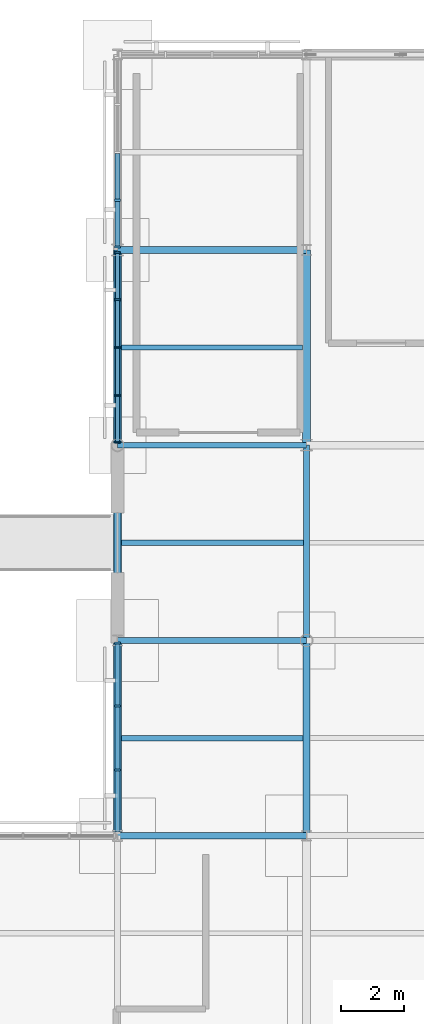
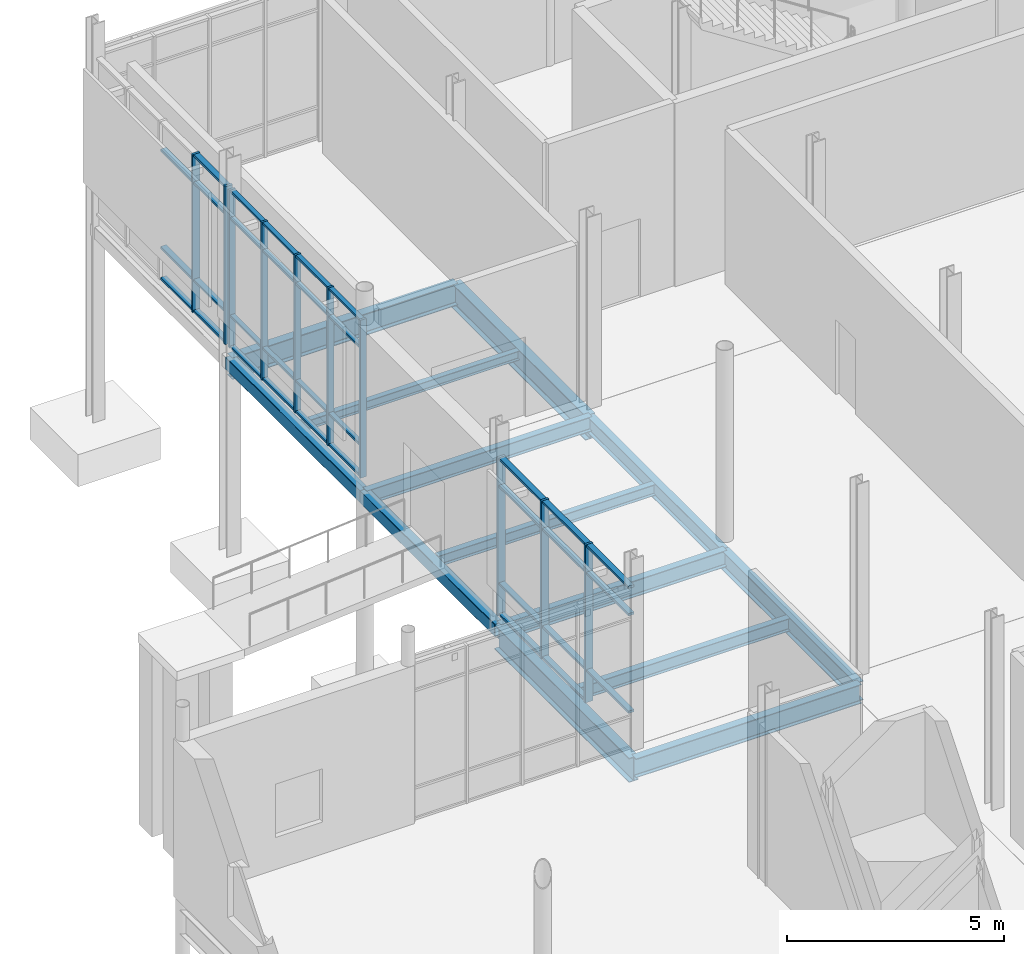
# One storey, part 47 of 98: 44 members, 13 beams, 3 elements without a shape of their own.
"""IFC4 building model written with IfcOpenShell, lengths in metres."""

from ifc_helpers import new_model, si_unit, direction, frame, origin, origin_2d, place, context, subcontext, project, spatial, rectangle, hollow_rectangle, i_section, extrude, material, layer, layer_set, material_profile, profile_set, type_object, element, aggregate, save


model = new_model("IFC4")

# Units and contexts
model_context = context("Model", 3, precision=1e-05, world=origin(), true_north=direction((0.0, 1.0)))
body_context = subcontext(model_context, "Body", "Model", "MODEL_VIEW")
ifc_project = project(units=[si_unit("LENGTHUNIT", "METRE"), si_unit("AREAUNIT", "SQUARE_METRE"), si_unit("VOLUMEUNIT", "CUBIC_METRE"), si_unit("PLANEANGLEUNIT", "RADIAN"), si_unit("MASSUNIT", "GRAM", prefix="KILO")], contexts=[model_context])

# Site, building, storey
site_placement = place(None, origin())
site = spatial("IfcSite", under=ifc_project, at=site_placement, CompositionType="ELEMENT")
building_placement = place(site_placement, origin())
building = spatial("IfcBuilding", under=site, at=building_placement, Name="Mirzam Square Science Centre", CompositionType="ELEMENT")
storey_placement = place(building_placement, origin())
storey = spatial("IfcBuildingStorey", under=building, at=storey_placement, Name="L00", CompositionType="ELEMENT", Elevation=0.0)

# Beams
ifc_material_1 = material(Name="Steel S355", Category="steel")
ifc_material_profile_1 = material_profile(ifc_material_1, i_section(OverallWidth=0.1787109375, OverallDepth=0.409423828125, WebThickness=0.0087890625, FlangeThickness=0.014404296875, FilletRadius=0.01025390625, at=origin_2d()), Name="406x178x67UB")
ifc_profile_set_1 = profile_set([ifc_material_profile_1], Name="Steel S355")
beam_type_1 = type_object("IfcBeamType", Name="BM-UB406", PredefinedType="BEAM", material=ifc_profile_set_1)
beam_1_placement = place(storey_placement, frame((114.0, 99.199951171875, -0.504638671875), z_axis=(1.0, 0.0, 0.0), x_axis=(0.0, 1.0, 0.0)))
element("IfcBeam", 1, at=beam_1_placement, inside=storey, type_object=beam_type_1, Name="L00 girder X20-17", PredefinedType="BEAM", context=body_context, shape_type="SweptSolid", body=[
    extrude(i_section(OverallWidth=0.1787109375, OverallDepth=0.409423828125, WebThickness=0.0087890625, FlangeThickness=0.014404296875, FilletRadius=0.01025390625, at=origin_2d()), origin(), (0.0, 0.0, 1.0), 6.0),
])
ifc_material_profile_2 = material_profile(ifc_material_1, i_section(OverallWidth=0.19140625, OverallDepth=0.4599609375, WebThickness=0.010009765625, FlangeThickness=0.01611328125, FilletRadius=0.01025390625, at=origin_2d()), Name="457x191x82UB")
ifc_profile_set_2 = profile_set([ifc_material_profile_2], Name="Steel S355")
beam_type_2 = type_object("IfcBeamType", Name="BM-UB457", PredefinedType="BEAM", material=ifc_profile_set_2)
beam_2_placement = place(storey_placement, frame((114.0, 93.0, -0.530029296875), z_axis=(1.0, 0.0, 0.0), x_axis=(0.0, 1.0, 0.0)))
element("IfcBeam", 2, at=beam_2_placement, inside=storey, type_object=beam_type_2, Name="L00 girder X20-16", PredefinedType="BEAM", context=body_context, shape_type="SweptSolid", body=[
    extrude(i_section(OverallWidth=0.19140625, OverallDepth=0.4599609375, WebThickness=0.010009765625, FlangeThickness=0.01611328125, FilletRadius=0.01025390625, at=origin_2d()), origin(), (0.0, 0.0, 1.0), 6.0),
])
beam_3_placement = place(storey_placement, frame((120.0, 93.0, -0.530029296875), z_axis=(0.0, 1.0, 0.0), x_axis=(-1.0, 0.0, 0.0)))
element("IfcBeam", 3, at=beam_3_placement, inside=storey, type_object=beam_type_2, Name="L00 girder Y21-16", PredefinedType="BEAM", context=body_context, shape_type="SweptSolid", body=[
    extrude(i_section(OverallWidth=0.19140625, OverallDepth=0.4599609375, WebThickness=0.010009765625, FlangeThickness=0.01611328125, FilletRadius=0.01025390625, at=origin_2d()), origin(), (0.0, 0.0, 1.0), 6.199951171875),
])
ifc_material_profile_3 = material_profile(ifc_material_1, i_section(OverallWidth=0.2099609375, OverallDepth=0.53662109375, WebThickness=0.0107421875, FlangeThickness=0.017333984375, FilletRadius=0.0126953125, at=origin_2d()), Name="533x210x101UB")
ifc_profile_set_3 = profile_set([ifc_material_profile_3], Name="Steel S355")
beam_type_3 = type_object("IfcBeamType", Name="BM-UB533", PredefinedType="BEAM", material=ifc_profile_set_3)
beam_4_placement = place(storey_placement, frame((114.0, 86.800048828125, -0.568359375), z_axis=(1.0, 0.0, 0.0), x_axis=(0.0, 1.0, 0.0)))
element("IfcBeam", 4, at=beam_4_placement, inside=storey, type_object=beam_type_3, Name="L00 girder X20-15", PredefinedType="BEAM", context=body_context, shape_type="SweptSolid", body=[
    extrude(i_section(OverallWidth=0.2099609375, OverallDepth=0.53662109375, WebThickness=0.0107421875, FlangeThickness=0.017333984375, FilletRadius=0.0126953125, at=origin_2d()), origin(), (0.0, 0.0, 1.0), 6.0),
])
beam_5_placement = place(storey_placement, frame((120.0, 86.800048828125, -0.568359375), z_axis=(0.0, 1.0, 0.0), x_axis=(-1.0, 0.0, 0.0)))
element("IfcBeam", 5, at=beam_5_placement, inside=storey, type_object=beam_type_3, Name="L00 girder Y21-15", PredefinedType="BEAM", context=body_context, shape_type="SweptSolid", body=[
    extrude(i_section(OverallWidth=0.2099609375, OverallDepth=0.53662109375, WebThickness=0.0107421875, FlangeThickness=0.017333984375, FilletRadius=0.0126953125, at=origin_2d()), origin(), (0.0, 0.0, 1.0), 6.199951171875),
])
ifc_material_profile_4 = material_profile(ifc_material_1, i_section(OverallWidth=0.22900390625, OverallDepth=0.6123046875, WebThickness=0.011962890625, FlangeThickness=0.01953125, FilletRadius=0.0126953125, at=origin_2d()), Name="610x229x125UB")
ifc_profile_set_4 = profile_set([ifc_material_profile_4], Name="Steel S355")
beam_type_4 = type_object("IfcBeamType", Name="BM-UB610", PredefinedType="BEAM", material=ifc_profile_set_4)
beam_6_placement = place(storey_placement, frame((114.0, 105.39990234375, -0.606201171875), z_axis=(1.0, 0.0, 0.0), x_axis=(0.0, 1.0, 0.0)))
element("IfcBeam", 6, at=beam_6_placement, inside=storey, type_object=beam_type_4, Name="L00 girder X20-18", PredefinedType="BEAM", context=body_context, shape_type="SweptSolid", body=[
    extrude(i_section(OverallWidth=0.22900390625, OverallDepth=0.6123046875, WebThickness=0.011962890625, FlangeThickness=0.01953125, FilletRadius=0.0126953125, at=origin_2d()), origin(), (0.0, 0.0, 1.0), 6.0),
])
ifc_material_profile_5 = material_profile(ifc_material_1, i_section(OverallWidth=0.25439453125, OverallDepth=0.6875, WebThickness=0.01318359375, FlangeThickness=0.02099609375, FilletRadius=0.01513671875, at=origin_2d()), Name="686x254x152UB")
ifc_profile_set_5 = profile_set([ifc_material_profile_5], Name="Steel S355")
beam_type_5 = type_object("IfcBeamType", Name="BM-UB686", PredefinedType="BEAM", material=ifc_profile_set_5)
for number, where, z_axis, x_axis, name in (
    (7, (114.0, 86.800048828125, -0.643798828125), (0.0, 1.0, 0.0), (-1.0, 0.0, 0.0), "L00 girder Y20-15"),
    (8, (120.0, 99.199951171875, -0.643798828125), (0.0, 1.0, 0.0), (-1.0, 0.0, 0.0), "L00 girder Y21-17"),
):
    element("IfcBeam", number, at=place(storey_placement, frame(where, z_axis=z_axis, x_axis=x_axis)), inside=storey, type_object=beam_type_5, Name=name, PredefinedType="BEAM", context=body_context, shape_type="SweptSolid", body=[
        extrude(i_section(OverallWidth=0.25439453125, OverallDepth=0.6875, WebThickness=0.01318359375, FlangeThickness=0.02099609375, FilletRadius=0.01513671875, at=origin_2d()), origin(), (0.0, 0.0, 1.0), 6.199951171875),
    ])

# Curtain wall, members
ifc_material_2 = material(Name="Anodised Aluminium and Low-E Solar Glass", Category="aluminium")
ifc_layer_1 = layer(ifc_material_2, 0.159912109375)
ifc_layer_set_1 = layer_set([ifc_layer_1], Name="CW-COURT-B")
curtain_wall_type_1 = type_object("IfcCurtainWallType", Name="CW-COURT-B", PredefinedType="USERDEFINED", material=ifc_layer_set_1)
curtain_wall_1_placement = place(storey_placement, origin())
curtain_wall_1 = element("IfcCurtainWall", 9, at=curtain_wall_1_placement, inside=storey, type_object=curtain_wall_type_1, Name="L00 unitised curtain wall 78", ObjectType="UNITISED CURTAIN WALL", PredefinedType="USERDEFINED")
ifc_material_3 = material(Name="Anodised Architectural Aluminium 6063-T6", Category="aluminium")
ifc_material_profile_6 = material_profile(ifc_material_3, rectangle(XDim=0.06005859375, YDim=0.159912109375, at=origin_2d()), Name="ALU-MULL-160x60x4")
ifc_profile_set_6 = profile_set([ifc_material_profile_6], Name="Anodised Architectural Aluminium 6063-T6")
member_type_1 = type_object("IfcMemberType", Name="CWM-160", PredefinedType="MULLION", material=ifc_profile_set_6)
member_1_placement = place(storey_placement, frame((114.0, 105.31494140625, 0.0), z_axis=(0.0, 0.0, 1.0), x_axis=(0.0, -1.0, 0.0)))
member_1 = element("IfcMember", 10, at=member_1_placement, type_object=member_type_1, Name="CW-04 mullion 1", PredefinedType="MULLION", context=body_context, shape_type="SweptSolid", body=[
    extrude(rectangle(XDim=0.06005859375, YDim=0.159912109375, at=origin_2d()), origin(), (0.0, 0.0, 1.0), 4.43994140625),
])
member_2_placement = place(storey_placement, frame((114.0, 103.822509765625, 0.0), z_axis=(0.0, 0.0, 1.0), x_axis=(0.0, -1.0, 0.0)))
member_2 = element("IfcMember", 11, at=member_2_placement, type_object=member_type_1, Name="CW-04 mullion 2", PredefinedType="MULLION", context=body_context, shape_type="SweptSolid", body=[
    extrude(rectangle(XDim=0.06005859375, YDim=0.159912109375, at=origin_2d()), origin(), (0.0, 0.0, 1.0), 4.43994140625),
])
member_3_placement = place(storey_placement, frame((114.0, 102.300048828125, 0.0), z_axis=(0.0, 0.0, 1.0), x_axis=(0.0, -1.0, 0.0)))
member_3 = element("IfcMember", 12, at=member_3_placement, type_object=member_type_1, Name="CW-04 mullion 3", PredefinedType="MULLION", context=body_context, shape_type="SweptSolid", body=[
    extrude(rectangle(XDim=0.06005859375, YDim=0.159912109375, at=origin_2d()), origin(), (0.0, 0.0, 1.0), 4.43994140625),
])
member_4_placement = place(storey_placement, frame((114.0, 100.777587890625, 0.0), z_axis=(0.0, 0.0, 1.0), x_axis=(0.0, -1.0, 0.0)))
member_4 = element("IfcMember", 13, at=member_4_placement, type_object=member_type_1, Name="CW-04 mullion 4", PredefinedType="MULLION", context=body_context, shape_type="SweptSolid", body=[
    extrude(rectangle(XDim=0.06005859375, YDim=0.159912109375, at=origin_2d()), origin(), (0.0, 0.0, 1.0), 4.43994140625),
])
member_5_placement = place(storey_placement, frame((114.0, 99.284912109375, 0.0), z_axis=(0.0, 0.0, 1.0), x_axis=(0.0, -1.0, 0.0)))
member_5 = element("IfcMember", 14, at=member_5_placement, type_object=member_type_1, Name="CW-04 mullion 5", PredefinedType="MULLION", context=body_context, shape_type="SweptSolid", body=[
    extrude(rectangle(XDim=0.06005859375, YDim=0.159912109375, at=origin_2d()), origin(), (0.0, 0.0, 1.0), 4.43994140625),
])

ifc_layer_2 = layer(ifc_material_2, 0.199951171875)
ifc_layer_set_2 = layer_set([ifc_layer_2], Name="CW-PARK-B")
curtain_wall_type_2 = type_object("IfcCurtainWallType", Name="CW-PARK-B", PredefinedType="USERDEFINED", material=ifc_layer_set_2)
curtain_wall_2_placement = place(storey_placement, origin())
curtain_wall_2 = element("IfcCurtainWall", 15, at=curtain_wall_2_placement, inside=storey, type_object=curtain_wall_type_2, Name="L00 unitised curtain wall 75", ObjectType="UNITISED CURTAIN WALL", PredefinedType="USERDEFINED")
ifc_material_profile_7 = material_profile(ifc_material_3, rectangle(XDim=0.06494140625, YDim=0.199951171875, at=origin_2d()), Name="ALU-MULL-200x65x5")
ifc_profile_set_7 = profile_set([ifc_material_profile_7], Name="Anodised Architectural Aluminium 6063-T6")
member_type_2 = type_object("IfcMemberType", Name="CWM-200", PredefinedType="MULLION", material=ifc_profile_set_7)
member_6_placement = place(storey_placement, frame((114.0, 92.91259765625, 0.0), z_axis=(0.0, 0.0, 1.0), x_axis=(0.0, -1.0, 0.0)))
member_6 = element("IfcMember", 16, at=member_6_placement, type_object=member_type_2, Name="CW-02 mullion 1", PredefinedType="MULLION", context=body_context, shape_type="SweptSolid", body=[
    extrude(rectangle(XDim=0.06494140625, YDim=0.199951171875, at=origin_2d()), origin(), (0.0, 0.0, 1.0), 4.43994140625),
])
member_7_placement = place(storey_placement, frame((114.0, 90.9150390625, 0.0), z_axis=(0.0, 0.0, 1.0), x_axis=(0.0, -1.0, 0.0)))
member_7 = element("IfcMember", 17, at=member_7_placement, type_object=member_type_2, Name="CW-02 mullion 2", PredefinedType="MULLION", context=body_context, shape_type="SweptSolid", body=[
    extrude(rectangle(XDim=0.06494140625, YDim=0.199951171875, at=origin_2d()), origin(), (0.0, 0.0, 1.0), 4.43994140625),
])
member_8_placement = place(storey_placement, frame((114.0, 88.885009765625, 0.0), z_axis=(0.0, 0.0, 1.0), x_axis=(0.0, -1.0, 0.0)))
member_8 = element("IfcMember", 18, at=member_8_placement, type_object=member_type_2, Name="CW-02 mullion 3", PredefinedType="MULLION", context=body_context, shape_type="SweptSolid", body=[
    extrude(rectangle(XDim=0.06494140625, YDim=0.199951171875, at=origin_2d()), origin(), (0.0, 0.0, 1.0), 4.43994140625),
])

ifc_layer_3 = layer(ifc_material_2, 0.199951171875)
ifc_layer_set_3 = layer_set([ifc_layer_3], Name="CW-EAST-A")
curtain_wall_type_3 = type_object("IfcCurtainWallType", Name="CW-EAST-A", PredefinedType="USERDEFINED", material=ifc_layer_set_3)
curtain_wall_3_placement = place(storey_placement, origin())
curtain_wall_3 = element("IfcCurtainWall", 19, at=curtain_wall_3_placement, inside=storey, type_object=curtain_wall_type_3, Name="L00 unitised curtain wall 80", ObjectType="UNITISED CURTAIN WALL", PredefinedType="USERDEFINED")
member_9_placement = place(storey_placement, frame((114.0, 106.9775390625, 0.0), z_axis=(0.0, 0.0, 1.0), x_axis=(0.0, -1.0, 0.0)))
member_9 = element("IfcMember", 20, at=member_9_placement, type_object=member_type_2, Name="CW-05 mullion 4", PredefinedType="MULLION", context=body_context, shape_type="SweptSolid", body=[
    extrude(rectangle(XDim=0.06494140625, YDim=0.199951171875, at=origin_2d()), origin(), (0.0, 0.0, 1.0), 4.43994140625),
])
member_10_placement = place(storey_placement, frame((114.0, 105.487548828125, 0.0), z_axis=(0.0, 0.0, 1.0), x_axis=(0.0, -1.0, 0.0)))
member_10 = element("IfcMember", 21, at=member_10_placement, type_object=member_type_2, Name="CW-05 mullion 5", PredefinedType="MULLION", context=body_context, shape_type="SweptSolid", body=[
    extrude(rectangle(XDim=0.06494140625, YDim=0.199951171875, at=origin_2d()), origin(), (0.0, 0.0, 1.0), 4.43994140625),
])

# Member
ifc_material_profile_8 = material_profile(ifc_material_3, rectangle(XDim=0.1201171875, YDim=0.06005859375, at=origin_2d()), Name="ALU-TRAN-120x60x4")
ifc_profile_set_8 = profile_set([ifc_material_profile_8], Name="Anodised Architectural Aluminium 6063-T6")
member_type_3 = type_object("IfcMemberType", Name="CWT-120", PredefinedType="USERDEFINED", material=ifc_profile_set_8)
member_11_placement = place(storey_placement, frame((114.0, 105.284912109375, 0.030029296875), z_axis=(0.0, -1.0, 0.0), x_axis=(1.0, 0.0, 0.0)))
member_11 = element("IfcMember", 22, at=member_11_placement, type_object=member_type_3, Name="CW-04 transom 1.1", ObjectType="TRANSOM", PredefinedType="USERDEFINED", context=body_context, shape_type="SweptSolid", body=[
    extrude(rectangle(XDim=0.1201171875, YDim=0.06005859375, at=origin_2d()), origin(), (0.0, 0.0, 1.0), 1.432373046875),
])

member_12_placement = place(storey_placement, frame((114.0, 105.284912109375, 0.89990234375), z_axis=(0.0, -1.0, 0.0), x_axis=(1.0, 0.0, 0.0)))
member_12 = element("IfcMember", 23, at=member_12_placement, type_object=member_type_3, Name="CW-04 transom 1.2", ObjectType="TRANSOM", PredefinedType="USERDEFINED", context=body_context, shape_type="SweptSolid", body=[
    extrude(rectangle(XDim=0.1201171875, YDim=0.06005859375, at=origin_2d()), origin(), (0.0, 0.0, 1.0), 1.432373046875),
])

member_13_placement = place(storey_placement, frame((114.0, 105.284912109375, 3.639892578125), z_axis=(0.0, -1.0, 0.0), x_axis=(1.0, 0.0, 0.0)))
member_13 = element("IfcMember", 24, at=member_13_placement, type_object=member_type_3, Name="CW-04 transom 1.3", ObjectType="TRANSOM", PredefinedType="USERDEFINED", context=body_context, shape_type="SweptSolid", body=[
    extrude(rectangle(XDim=0.1201171875, YDim=0.06005859375, at=origin_2d()), origin(), (0.0, 0.0, 1.0), 1.432373046875),
])

member_14_placement = place(storey_placement, frame((114.0, 105.284912109375, 4.409912109375), z_axis=(0.0, -1.0, 0.0), x_axis=(1.0, 0.0, 0.0)))
member_14 = element("IfcMember", 25, at=member_14_placement, type_object=member_type_3, Name="CW-04 transom 1.4", ObjectType="TRANSOM", PredefinedType="USERDEFINED", context=body_context, shape_type="SweptSolid", body=[
    extrude(rectangle(XDim=0.1201171875, YDim=0.06005859375, at=origin_2d()), origin(), (0.0, 0.0, 1.0), 1.432373046875),
])

member_15_placement = place(storey_placement, frame((114.0, 103.79248046875, 0.030029296875), z_axis=(0.0, -1.0, 0.0), x_axis=(1.0, 0.0, 0.0)))
member_15 = element("IfcMember", 26, at=member_15_placement, type_object=member_type_3, Name="CW-04 transom 2.1", ObjectType="TRANSOM", PredefinedType="USERDEFINED", context=body_context, shape_type="SweptSolid", body=[
    extrude(rectangle(XDim=0.1201171875, YDim=0.06005859375, at=origin_2d()), origin(), (0.0, 0.0, 1.0), 1.46240234375),
])

member_16_placement = place(storey_placement, frame((114.0, 103.79248046875, 0.89990234375), z_axis=(0.0, -1.0, 0.0), x_axis=(1.0, 0.0, 0.0)))
member_16 = element("IfcMember", 27, at=member_16_placement, type_object=member_type_3, Name="CW-04 transom 2.2", ObjectType="TRANSOM", PredefinedType="USERDEFINED", context=body_context, shape_type="SweptSolid", body=[
    extrude(rectangle(XDim=0.1201171875, YDim=0.06005859375, at=origin_2d()), origin(), (0.0, 0.0, 1.0), 1.46240234375),
])

member_17_placement = place(storey_placement, frame((114.0, 103.79248046875, 3.639892578125), z_axis=(0.0, -1.0, 0.0), x_axis=(1.0, 0.0, 0.0)))
member_17 = element("IfcMember", 28, at=member_17_placement, type_object=member_type_3, Name="CW-04 transom 2.3", ObjectType="TRANSOM", PredefinedType="USERDEFINED", context=body_context, shape_type="SweptSolid", body=[
    extrude(rectangle(XDim=0.1201171875, YDim=0.06005859375, at=origin_2d()), origin(), (0.0, 0.0, 1.0), 1.46240234375),
])

member_18_placement = place(storey_placement, frame((114.0, 103.79248046875, 4.409912109375), z_axis=(0.0, -1.0, 0.0), x_axis=(1.0, 0.0, 0.0)))
member_18 = element("IfcMember", 29, at=member_18_placement, type_object=member_type_3, Name="CW-04 transom 2.4", ObjectType="TRANSOM", PredefinedType="USERDEFINED", context=body_context, shape_type="SweptSolid", body=[
    extrude(rectangle(XDim=0.1201171875, YDim=0.06005859375, at=origin_2d()), origin(), (0.0, 0.0, 1.0), 1.46240234375),
])

member_19_placement = place(storey_placement, frame((114.0, 102.27001953125, 0.030029296875), z_axis=(0.0, -1.0, 0.0), x_axis=(1.0, 0.0, 0.0)))
member_19 = element("IfcMember", 30, at=member_19_placement, type_object=member_type_3, Name="CW-04 transom 3.1", ObjectType="TRANSOM", PredefinedType="USERDEFINED", context=body_context, shape_type="SweptSolid", body=[
    extrude(rectangle(XDim=0.1201171875, YDim=0.06005859375, at=origin_2d()), origin(), (0.0, 0.0, 1.0), 1.46240234375),
])

member_20_placement = place(storey_placement, frame((114.0, 102.27001953125, 0.89990234375), z_axis=(0.0, -1.0, 0.0), x_axis=(1.0, 0.0, 0.0)))
member_20 = element("IfcMember", 31, at=member_20_placement, type_object=member_type_3, Name="CW-04 transom 3.2", ObjectType="TRANSOM", PredefinedType="USERDEFINED", context=body_context, shape_type="SweptSolid", body=[
    extrude(rectangle(XDim=0.1201171875, YDim=0.06005859375, at=origin_2d()), origin(), (0.0, 0.0, 1.0), 1.46240234375),
])

member_21_placement = place(storey_placement, frame((114.0, 102.27001953125, 3.639892578125), z_axis=(0.0, -1.0, 0.0), x_axis=(1.0, 0.0, 0.0)))
member_21 = element("IfcMember", 32, at=member_21_placement, type_object=member_type_3, Name="CW-04 transom 3.3", ObjectType="TRANSOM", PredefinedType="USERDEFINED", context=body_context, shape_type="SweptSolid", body=[
    extrude(rectangle(XDim=0.1201171875, YDim=0.06005859375, at=origin_2d()), origin(), (0.0, 0.0, 1.0), 1.46240234375),
])

member_22_placement = place(storey_placement, frame((114.0, 102.27001953125, 4.409912109375), z_axis=(0.0, -1.0, 0.0), x_axis=(1.0, 0.0, 0.0)))
member_22 = element("IfcMember", 33, at=member_22_placement, type_object=member_type_3, Name="CW-04 transom 3.4", ObjectType="TRANSOM", PredefinedType="USERDEFINED", context=body_context, shape_type="SweptSolid", body=[
    extrude(rectangle(XDim=0.1201171875, YDim=0.06005859375, at=origin_2d()), origin(), (0.0, 0.0, 1.0), 1.46240234375),
])

member_23_placement = place(storey_placement, frame((114.0, 100.74755859375, 0.030029296875), z_axis=(0.0, -1.0, 0.0), x_axis=(1.0, 0.0, 0.0)))
member_23 = element("IfcMember", 34, at=member_23_placement, type_object=member_type_3, Name="CW-04 transom 4.1", ObjectType="TRANSOM", PredefinedType="USERDEFINED", context=body_context, shape_type="SweptSolid", body=[
    extrude(rectangle(XDim=0.1201171875, YDim=0.06005859375, at=origin_2d()), origin(), (0.0, 0.0, 1.0), 1.4326171875),
])

member_24_placement = place(storey_placement, frame((114.0, 100.74755859375, 0.89990234375), z_axis=(0.0, -1.0, 0.0), x_axis=(1.0, 0.0, 0.0)))
member_24 = element("IfcMember", 35, at=member_24_placement, type_object=member_type_3, Name="CW-04 transom 4.2", ObjectType="TRANSOM", PredefinedType="USERDEFINED", context=body_context, shape_type="SweptSolid", body=[
    extrude(rectangle(XDim=0.1201171875, YDim=0.06005859375, at=origin_2d()), origin(), (0.0, 0.0, 1.0), 1.4326171875),
])

member_25_placement = place(storey_placement, frame((114.0, 100.74755859375, 3.639892578125), z_axis=(0.0, -1.0, 0.0), x_axis=(1.0, 0.0, 0.0)))
member_25 = element("IfcMember", 36, at=member_25_placement, type_object=member_type_3, Name="CW-04 transom 4.3", ObjectType="TRANSOM", PredefinedType="USERDEFINED", context=body_context, shape_type="SweptSolid", body=[
    extrude(rectangle(XDim=0.1201171875, YDim=0.06005859375, at=origin_2d()), origin(), (0.0, 0.0, 1.0), 1.4326171875),
])

member_26_placement = place(storey_placement, frame((114.0, 100.74755859375, 4.409912109375), z_axis=(0.0, -1.0, 0.0), x_axis=(1.0, 0.0, 0.0)))
member_26 = element("IfcMember", 37, at=member_26_placement, type_object=member_type_3, Name="CW-04 transom 4.4", ObjectType="TRANSOM", PredefinedType="USERDEFINED", context=body_context, shape_type="SweptSolid", body=[
    extrude(rectangle(XDim=0.1201171875, YDim=0.06005859375, at=origin_2d()), origin(), (0.0, 0.0, 1.0), 1.4326171875),
])

aggregate(curtain_wall_1, [member_1, member_2, member_3, member_4, member_5, member_11, member_12, member_13, member_14, member_15, member_16, member_17, member_18, member_19, member_20, member_21, member_22, member_23, member_24, member_25, member_26])

ifc_material_profile_9 = material_profile(ifc_material_3, rectangle(XDim=0.14990234375, YDim=0.06494140625, at=origin_2d()), Name="ALU-TRAN-150x65x4")
ifc_profile_set_9 = profile_set([ifc_material_profile_9], Name="Anodised Architectural Aluminium 6063-T6")
member_type_4 = type_object("IfcMemberType", Name="CWT-150", PredefinedType="USERDEFINED", material=ifc_profile_set_9)
member_27_placement = place(storey_placement, frame((114.0, 92.8798828125, 0.032470703125), z_axis=(0.0, -1.0, 0.0), x_axis=(1.0, 0.0, 0.0)))
member_27 = element("IfcMember", 38, at=member_27_placement, type_object=member_type_4, Name="CW-02 transom 1.1", ObjectType="TRANSOM", PredefinedType="USERDEFINED", context=body_context, shape_type="SweptSolid", body=[
    extrude(rectangle(XDim=0.14990234375, YDim=0.06494140625, at=origin_2d()), origin(), (0.0, 0.0, 1.0), 1.932373046875),
])

member_28_placement = place(storey_placement, frame((114.0, 92.8798828125, 0.89990234375), z_axis=(0.0, -1.0, 0.0), x_axis=(1.0, 0.0, 0.0)))
member_28 = element("IfcMember", 39, at=member_28_placement, type_object=member_type_4, Name="CW-02 transom 1.2", ObjectType="TRANSOM", PredefinedType="USERDEFINED", context=body_context, shape_type="SweptSolid", body=[
    extrude(rectangle(XDim=0.14990234375, YDim=0.06494140625, at=origin_2d()), origin(), (0.0, 0.0, 1.0), 1.932373046875),
])

member_29_placement = place(storey_placement, frame((114.0, 92.8798828125, 3.639892578125), z_axis=(0.0, -1.0, 0.0), x_axis=(1.0, 0.0, 0.0)))
member_29 = element("IfcMember", 40, at=member_29_placement, type_object=member_type_4, Name="CW-02 transom 1.3", ObjectType="TRANSOM", PredefinedType="USERDEFINED", context=body_context, shape_type="SweptSolid", body=[
    extrude(rectangle(XDim=0.14990234375, YDim=0.06494140625, at=origin_2d()), origin(), (0.0, 0.0, 1.0), 1.932373046875),
])

member_30_placement = place(storey_placement, frame((114.0, 92.8798828125, 4.407470703125), z_axis=(0.0, -1.0, 0.0), x_axis=(1.0, 0.0, 0.0)))
member_30 = element("IfcMember", 41, at=member_30_placement, type_object=member_type_4, Name="CW-02 transom 1.4", ObjectType="TRANSOM", PredefinedType="USERDEFINED", context=body_context, shape_type="SweptSolid", body=[
    extrude(rectangle(XDim=0.14990234375, YDim=0.06494140625, at=origin_2d()), origin(), (0.0, 0.0, 1.0), 1.932373046875),
])

member_31_placement = place(storey_placement, frame((114.0, 90.882568359375, 0.032470703125), z_axis=(0.0, -1.0, 0.0), x_axis=(1.0, 0.0, 0.0)))
member_31 = element("IfcMember", 42, at=member_31_placement, type_object=member_type_4, Name="CW-02 transom 2.1", ObjectType="TRANSOM", PredefinedType="USERDEFINED", context=body_context, shape_type="SweptSolid", body=[
    extrude(rectangle(XDim=0.14990234375, YDim=0.06494140625, at=origin_2d()), origin(), (0.0, 0.0, 1.0), 1.965087890625),
])

member_32_placement = place(storey_placement, frame((114.0, 90.882568359375, 0.89990234375), z_axis=(0.0, -1.0, 0.0), x_axis=(1.0, 0.0, 0.0)))
member_32 = element("IfcMember", 43, at=member_32_placement, type_object=member_type_4, Name="CW-02 transom 2.2", ObjectType="TRANSOM", PredefinedType="USERDEFINED", context=body_context, shape_type="SweptSolid", body=[
    extrude(rectangle(XDim=0.14990234375, YDim=0.06494140625, at=origin_2d()), origin(), (0.0, 0.0, 1.0), 1.965087890625),
])

member_33_placement = place(storey_placement, frame((114.0, 90.882568359375, 3.639892578125), z_axis=(0.0, -1.0, 0.0), x_axis=(1.0, 0.0, 0.0)))
member_33 = element("IfcMember", 44, at=member_33_placement, type_object=member_type_4, Name="CW-02 transom 2.3", ObjectType="TRANSOM", PredefinedType="USERDEFINED", context=body_context, shape_type="SweptSolid", body=[
    extrude(rectangle(XDim=0.14990234375, YDim=0.06494140625, at=origin_2d()), origin(), (0.0, 0.0, 1.0), 1.965087890625),
])

member_34_placement = place(storey_placement, frame((114.0, 90.882568359375, 4.407470703125), z_axis=(0.0, -1.0, 0.0), x_axis=(1.0, 0.0, 0.0)))
member_34 = element("IfcMember", 45, at=member_34_placement, type_object=member_type_4, Name="CW-02 transom 2.4", ObjectType="TRANSOM", PredefinedType="USERDEFINED", context=body_context, shape_type="SweptSolid", body=[
    extrude(rectangle(XDim=0.14990234375, YDim=0.06494140625, at=origin_2d()), origin(), (0.0, 0.0, 1.0), 1.965087890625),
])

member_35_placement = place(storey_placement, frame((114.0, 88.8525390625, 0.89990234375), z_axis=(0.0, -1.0, 0.0), x_axis=(1.0, 0.0, 0.0)))
member_35 = element("IfcMember", 46, at=member_35_placement, type_object=member_type_4, Name="CW-02 transom 3.2", ObjectType="TRANSOM", PredefinedType="USERDEFINED", context=body_context, shape_type="SweptSolid", body=[
    extrude(rectangle(XDim=0.14990234375, YDim=0.06494140625, at=origin_2d()), origin(), (0.0, 0.0, 1.0), 1.9326171875),
])

member_36_placement = place(storey_placement, frame((114.0, 88.8525390625, 3.639892578125), z_axis=(0.0, -1.0, 0.0), x_axis=(1.0, 0.0, 0.0)))
member_36 = element("IfcMember", 47, at=member_36_placement, type_object=member_type_4, Name="CW-02 transom 3.3", ObjectType="TRANSOM", PredefinedType="USERDEFINED", context=body_context, shape_type="SweptSolid", body=[
    extrude(rectangle(XDim=0.14990234375, YDim=0.06494140625, at=origin_2d()), origin(), (0.0, 0.0, 1.0), 1.9326171875),
])

member_37_placement = place(storey_placement, frame((114.0, 88.8525390625, 4.407470703125), z_axis=(0.0, -1.0, 0.0), x_axis=(1.0, 0.0, 0.0)))
member_37 = element("IfcMember", 48, at=member_37_placement, type_object=member_type_4, Name="CW-02 transom 3.4", ObjectType="TRANSOM", PredefinedType="USERDEFINED", context=body_context, shape_type="SweptSolid", body=[
    extrude(rectangle(XDim=0.14990234375, YDim=0.06494140625, at=origin_2d()), origin(), (0.0, 0.0, 1.0), 1.9326171875),
])

aggregate(curtain_wall_2, [member_6, member_7, member_8, member_27, member_28, member_29, member_30, member_31, member_32, member_33, member_34, member_35, member_36, member_37])

member_38_placement = place(storey_placement, frame((114.0, 108.467529296875, 0.032470703125), z_axis=(0.0, -1.0, 0.0), x_axis=(1.0, 0.0, 0.0)))
member_38 = element("IfcMember", 49, at=member_38_placement, type_object=member_type_4, Name="CW-05 transom 3.1", ObjectType="TRANSOM", PredefinedType="USERDEFINED", context=body_context, shape_type="SweptSolid", body=[
    extrude(rectangle(XDim=0.14990234375, YDim=0.06494140625, at=origin_2d()), origin(), (0.0, 0.0, 1.0), 1.45751953125),
])

member_39_placement = place(storey_placement, frame((114.0, 108.467529296875, 0.89990234375), z_axis=(0.0, -1.0, 0.0), x_axis=(1.0, 0.0, 0.0)))
member_39 = element("IfcMember", 50, at=member_39_placement, type_object=member_type_4, Name="CW-05 transom 3.2", ObjectType="TRANSOM", PredefinedType="USERDEFINED", context=body_context, shape_type="SweptSolid", body=[
    extrude(rectangle(XDim=0.14990234375, YDim=0.06494140625, at=origin_2d()), origin(), (0.0, 0.0, 1.0), 1.45751953125),
])

member_40_placement = place(storey_placement, frame((114.0, 108.467529296875, 3.639892578125), z_axis=(0.0, -1.0, 0.0), x_axis=(1.0, 0.0, 0.0)))
member_40 = element("IfcMember", 51, at=member_40_placement, type_object=member_type_4, Name="CW-05 transom 3.3", ObjectType="TRANSOM", PredefinedType="USERDEFINED", context=body_context, shape_type="SweptSolid", body=[
    extrude(rectangle(XDim=0.14990234375, YDim=0.06494140625, at=origin_2d()), origin(), (0.0, 0.0, 1.0), 1.45751953125),
])

member_41_placement = place(storey_placement, frame((114.0, 106.945068359375, 0.032470703125), z_axis=(0.0, -1.0, 0.0), x_axis=(1.0, 0.0, 0.0)))
member_41 = element("IfcMember", 52, at=member_41_placement, type_object=member_type_4, Name="CW-05 transom 4.1", ObjectType="TRANSOM", PredefinedType="USERDEFINED", context=body_context, shape_type="SweptSolid", body=[
    extrude(rectangle(XDim=0.14990234375, YDim=0.06494140625, at=origin_2d()), origin(), (0.0, 0.0, 1.0), 1.425048828125),
])

member_42_placement = place(storey_placement, frame((114.0, 106.945068359375, 0.89990234375), z_axis=(0.0, -1.0, 0.0), x_axis=(1.0, 0.0, 0.0)))
member_42 = element("IfcMember", 53, at=member_42_placement, type_object=member_type_4, Name="CW-05 transom 4.2", ObjectType="TRANSOM", PredefinedType="USERDEFINED", context=body_context, shape_type="SweptSolid", body=[
    extrude(rectangle(XDim=0.14990234375, YDim=0.06494140625, at=origin_2d()), origin(), (0.0, 0.0, 1.0), 1.425048828125),
])

member_43_placement = place(storey_placement, frame((114.0, 106.945068359375, 3.639892578125), z_axis=(0.0, -1.0, 0.0), x_axis=(1.0, 0.0, 0.0)))
member_43 = element("IfcMember", 54, at=member_43_placement, type_object=member_type_4, Name="CW-05 transom 4.3", ObjectType="TRANSOM", PredefinedType="USERDEFINED", context=body_context, shape_type="SweptSolid", body=[
    extrude(rectangle(XDim=0.14990234375, YDim=0.06494140625, at=origin_2d()), origin(), (0.0, 0.0, 1.0), 1.425048828125),
])

member_44_placement = place(storey_placement, frame((114.0, 106.945068359375, 4.407470703125), z_axis=(0.0, -1.0, 0.0), x_axis=(1.0, 0.0, 0.0)))
member_44 = element("IfcMember", 55, at=member_44_placement, type_object=member_type_4, Name="CW-05 transom 4.4", ObjectType="TRANSOM", PredefinedType="USERDEFINED", context=body_context, shape_type="SweptSolid", body=[
    extrude(rectangle(XDim=0.14990234375, YDim=0.06494140625, at=origin_2d()), origin(), (0.0, 0.0, 1.0), 1.425048828125),
])

aggregate(curtain_wall_3, [member_9, member_10, member_38, member_39, member_40, member_41, member_42, member_43, member_44])

# Beams
ifc_material_profile_10 = material_profile(ifc_material_1, i_section(OverallWidth=0.146484375, OverallDepth=0.256103515625, WebThickness=0.00634765625, FlangeThickness=0.010986328125, FilletRadius=0.007568359375, at=origin_2d()), Name="254x146x37UB")
ifc_profile_set_10 = profile_set([ifc_material_profile_10], Name="Steel S355")
beam_type_6 = type_object("IfcBeamType", Name="JS-UB254", PredefinedType="JOIST", material=ifc_profile_set_10)
beam_7_placement = place(storey_placement, frame((114.125, 102.300048828125, -0.427978515625), z_axis=(1.0, 0.0, 0.0), x_axis=(0.0, 1.0, 0.0)))
element("IfcBeam", 56, at=beam_7_placement, inside=storey, type_object=beam_type_6, Name="L00 composite joist 20-17", PredefinedType="JOIST", context=body_context, shape_type="SweptSolid", body=[
    extrude(i_section(OverallWidth=0.146484375, OverallDepth=0.256103515625, WebThickness=0.00634765625, FlangeThickness=0.010986328125, FilletRadius=0.007568359375, at=origin_2d()), origin(), (0.0, 0.0, 1.0), 5.747802734375),
])
ifc_material_profile_11 = material_profile(ifc_material_1, i_section(OverallWidth=0.165771484375, OverallDepth=0.306640625, WebThickness=0.006591796875, FlangeThickness=0.01171875, FilletRadius=0.0087890625, at=origin_2d()), Name="305x165x46UB")
ifc_profile_set_11 = profile_set([ifc_material_profile_11], Name="Steel S355")
beam_type_7 = type_object("IfcBeamType", Name="JS-UB305", PredefinedType="JOIST", material=ifc_profile_set_11)
beam_8_placement = place(storey_placement, frame((114.125, 96.10009765625, -0.453369140625), z_axis=(1.0, 0.0, 0.0), x_axis=(0.0, 1.0, 0.0)))
element("IfcBeam", 57, at=beam_8_placement, inside=storey, type_object=beam_type_7, Name="L00 composite joist 20-16", PredefinedType="JOIST", context=body_context, shape_type="SweptSolid", body=[
    extrude(i_section(OverallWidth=0.165771484375, OverallDepth=0.306640625, WebThickness=0.006591796875, FlangeThickness=0.01171875, FilletRadius=0.0087890625, at=origin_2d()), origin(), (0.0, 0.0, 1.0), 5.779296875),
])
ifc_material_profile_12 = material_profile(ifc_material_1, i_section(OverallWidth=0.172119140625, OverallDepth=0.35791015625, WebThickness=0.008056640625, FlangeThickness=0.012939453125, FilletRadius=0.01025390625, at=origin_2d()), Name="356x171x57UB")
ifc_profile_set_12 = profile_set([ifc_material_profile_12], Name="Steel S355")
beam_type_8 = type_object("IfcBeamType", Name="JS-UB356", PredefinedType="JOIST", material=ifc_profile_set_12)
beam_9_placement = place(storey_placement, frame((114.127197265625, 89.89990234375, -0.47900390625), z_axis=(1.0, 0.0, 0.0), x_axis=(0.0, 1.0, 0.0)))
element("IfcBeam", 58, at=beam_9_placement, inside=storey, type_object=beam_type_8, Name="L00 composite joist 20-15", PredefinedType="JOIST", context=body_context, shape_type="SweptSolid", body=[
    extrude(i_section(OverallWidth=0.172119140625, OverallDepth=0.35791015625, WebThickness=0.008056640625, FlangeThickness=0.012939453125, FilletRadius=0.01025390625, at=origin_2d()), origin(), (0.0, 0.0, 1.0), 5.767822265625),
])
ifc_material_profile_13 = material_profile(ifc_material_1, hollow_rectangle(XDim=0.25, YDim=0.35009765625, WallThickness=0.012451171875, InnerFilletRadius=0.012451171875, OuterFilletRadius=0.02490234375, at=origin_2d()), Name="350x250x12.5RHS")
ifc_profile_set_13 = profile_set([ifc_material_profile_13], Name="Steel S355")
beam_type_9 = type_object("IfcBeamType", Name="SP-RHS350", PredefinedType="SPANDREL", material=ifc_profile_set_13)
for number, where, z_axis, x_axis, name in (
    (59, (114.0, 93.0, -0.47509765625), (0.0, 1.0, 0.0), (-1.0, 0.0, 0.0), "L00 girder Y20-16"),
    (60, (114.0, 99.199951171875, -0.47509765625), (0.0, 1.0, 0.0), (-1.0, 0.0, 0.0), "L00 girder Y20-17"),
):
    element("IfcBeam", number, at=place(storey_placement, frame(where, z_axis=z_axis, x_axis=x_axis)), inside=storey, type_object=beam_type_9, Name=name, PredefinedType="SPANDREL", context=body_context, shape_type="SweptSolid", body=[
        extrude(hollow_rectangle(XDim=0.25, YDim=0.35009765625, WallThickness=0.012451171875, InnerFilletRadius=0.012451171875, OuterFilletRadius=0.02490234375, at=origin_2d()), origin(), (0.0, 0.0, 1.0), 6.199951171875),
    ])

save(model, "model.ifc")
